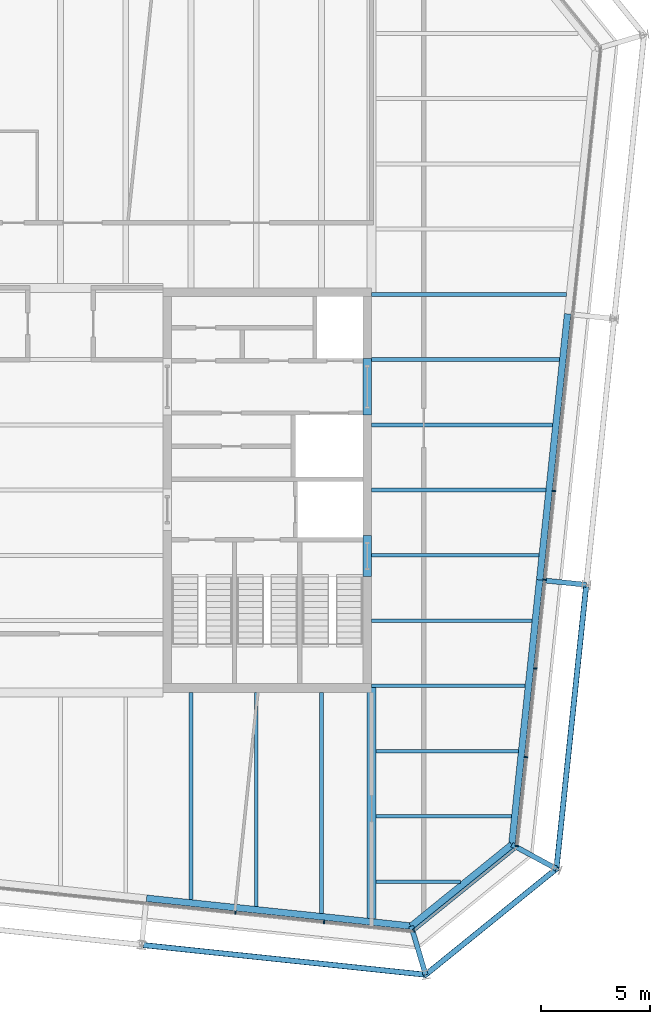
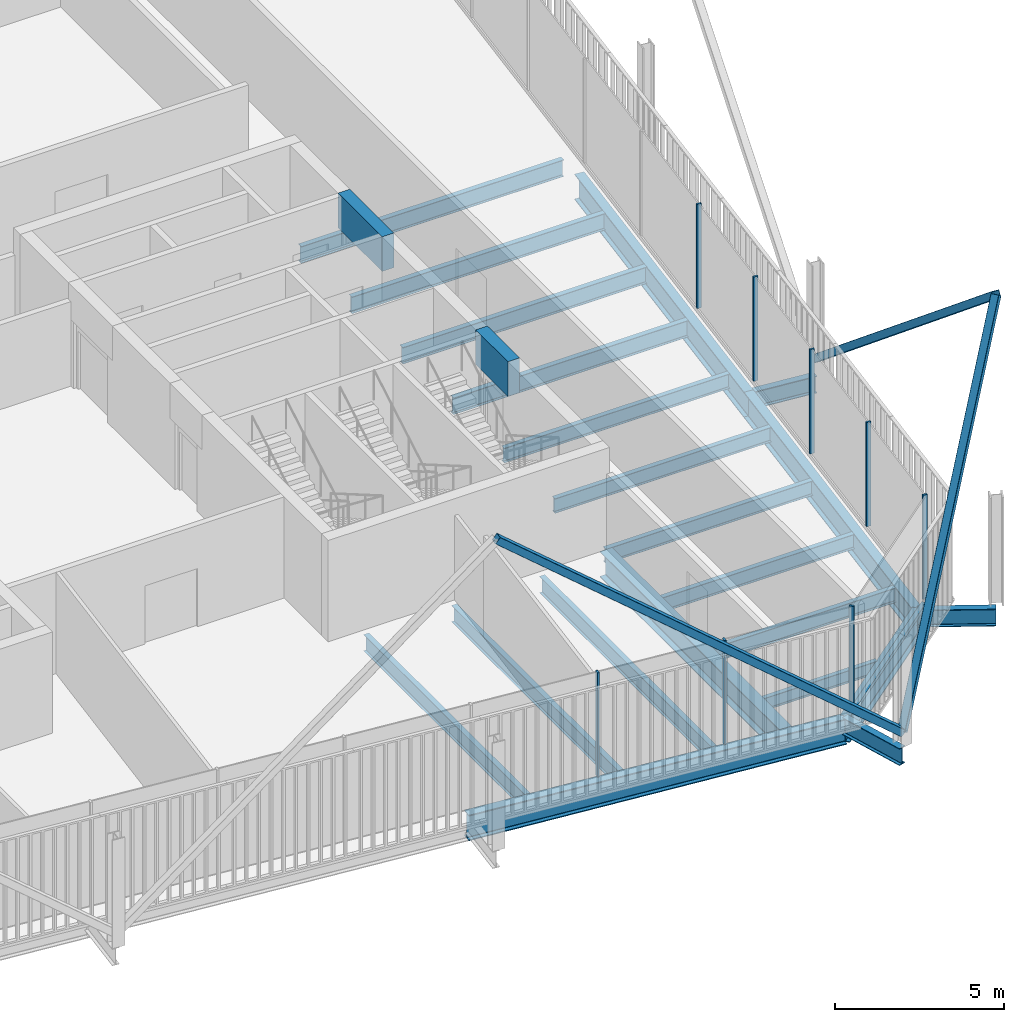
# One storey, part 9 of 21: 23 beams, 12 members, 3 elements without a shape of their own.
"""IFC4 building model written with IfcOpenShell, lengths in metres."""

from ifc_helpers import new_model, si_unit, direction, frame, origin, origin_2d, place, context, subcontext, project, spatial, rectangle, hollow_rectangle, i_section, extrude, material, layer, layer_set, material_profile, profile_set, type_object, element, aggregate, save


model = new_model("IFC4")

# Units and contexts
model_context = context("Model", 3, precision=1e-05, world=origin(), true_north=direction((0.0, 1.0)))
body_context = subcontext(model_context, "Body", "Model", "MODEL_VIEW")
ifc_project = project(units=[si_unit("LENGTHUNIT", "METRE"), si_unit("AREAUNIT", "SQUARE_METRE"), si_unit("VOLUMEUNIT", "CUBIC_METRE"), si_unit("PLANEANGLEUNIT", "RADIAN"), si_unit("MASSUNIT", "GRAM", prefix="KILO")], contexts=[model_context])

# Site, building, storey
site_placement = place(None, origin())
site = spatial("IfcSite", under=ifc_project, at=site_placement, CompositionType="ELEMENT")
building_placement = place(site_placement, origin())
building = spatial("IfcBuilding", under=site, at=building_placement, Name="Millrace Tower", CompositionType="ELEMENT")
storey_placement = place(building_placement, frame((0.0, 0.0, 307.199951171875)))
storey = spatial("IfcBuildingStorey", under=building, at=storey_placement, Name="L71", CompositionType="ELEMENT", Elevation=307.199951171875)

# Curtain wall, members
ifc_material_1 = material(Name="Aluminium and glass", Category="aluminium")
ifc_layer = layer(ifc_material_1, 0.14990234375)
ifc_layer_set = layer_set([ifc_layer], Name="Aluminium and glass")
curtain_wall_type = type_object("IfcCurtainWallType", Name="CW-1 office vision curtain wall", PredefinedType="NOTDEFINED", material=ifc_layer_set)
placement = place(storey_placement, origin())
curtain_wall_1 = element("IfcCurtainWall", 1, at=placement, inside=storey, type_object=curtain_wall_type, Name="Curtain wall E-F02 L71", PredefinedType="NOTDEFINED")
ifc_material_2 = material(Name="Aluminium", Category="aluminium")
ifc_material_profile_1 = material_profile(ifc_material_2, rectangle(XDim=0.06494140625, YDim=0.14990234375, at=origin_2d()))
ifc_profile_set_1 = profile_set([ifc_material_profile_1], Name="Aluminium")
member_type_1 = type_object("IfcMemberType", Name="CW-1 office vision curtain wall mullion", PredefinedType="MULLION", material=ifc_profile_set_1)
member_1_placement = place(storey_placement, frame((8.040283203125, -19.4248046875, 0.14013671875), z_axis=(0.0, 0.0, 1.0), x_axis=(0.994521896217, -0.104528455196, 0.0)))
member_1 = element("IfcMember", 2, at=member_1_placement, type_object=member_type_1, Name="CW1 mullion E-F02.8", PredefinedType="MULLION", context=body_context, shape_type="SweptSolid", body=[
    extrude(rectangle(XDim=0.06494140625, YDim=0.14990234375, at=origin_2d()), origin(), (0.0, 0.0, 1.0), 3.760009765625),
])
member_2_placement = place(storey_placement, frame((12.117919921875, -19.853271484375, 0.14013671875), z_axis=(0.0, 0.0, 1.0), x_axis=(0.994521896217, -0.104528455196, 0.0)))
member_2 = element("IfcMember", 3, at=member_2_placement, type_object=member_type_1, Name="CW1 mullion E-F02.9", PredefinedType="MULLION", context=body_context, shape_type="SweptSolid", body=[
    extrude(rectangle(XDim=0.06494140625, YDim=0.14990234375, at=origin_2d()), origin(), (0.0, 0.0, 1.0), 3.760009765625),
])
aggregate(curtain_wall_1, [member_1, member_2])

# Curtain wall, member
curtain_wall_2 = element("IfcCurtainWall", 4, at=placement, inside=storey, type_object=curtain_wall_type, Name="Curtain wall E-F03 L71", PredefinedType="NOTDEFINED")
member_3_placement = place(storey_placement, frame((16.243408203125, -20.24169921875, 0.14013671875), z_axis=(0.0, 0.0, 1.0), x_axis=(0.777146052237, 0.629320278945, 0.0)))
member_3 = element("IfcMember", 5, at=member_3_placement, type_object=member_type_1, Name="CW1 mullion E-F03.1", PredefinedType="MULLION", context=body_context, shape_type="SweptSolid", body=[
    extrude(rectangle(XDim=0.06494140625, YDim=0.14990234375, at=origin_2d()), origin(), (0.0, 0.0, 1.0), 3.760009765625),
])

# Curtain wall, members
curtain_wall_3 = element("IfcCurtainWall", 6, at=placement, inside=storey, type_object=curtain_wall_type, Name="Curtain wall E-F04 L71", PredefinedType="NOTDEFINED")
member_4_placement = place(storey_placement, frame((20.974853515625, -16.3525390625, 0.14013671875), z_axis=(0.0, 0.0, 1.0), x_axis=(0.104528455196, 0.994521896217, 0.0)))
member_4 = element("IfcMember", 7, at=member_4_placement, type_object=member_type_1, Name="CW1 mullion E-F04.1", PredefinedType="MULLION", context=body_context, shape_type="SweptSolid", body=[
    extrude(rectangle(XDim=0.06494140625, YDim=0.14990234375, at=origin_2d()), origin(), (0.0, 0.0, 1.0), 3.760009765625),
])
member_5_placement = place(storey_placement, frame((21.4033203125, -12.27490234375, 0.14013671875), z_axis=(0.0, 0.0, 1.0), x_axis=(0.104528455196, 0.994521896217, 0.0)))
member_5 = element("IfcMember", 8, at=member_5_placement, type_object=member_type_1, Name="CW1 mullion E-F04.2", PredefinedType="MULLION", context=body_context, shape_type="SweptSolid", body=[
    extrude(rectangle(XDim=0.06494140625, YDim=0.14990234375, at=origin_2d()), origin(), (0.0, 0.0, 1.0), 3.760009765625),
])
member_6_placement = place(storey_placement, frame((21.83203125, -8.197509765625, 0.14013671875), z_axis=(0.0, 0.0, 1.0), x_axis=(0.104528455196, 0.994521896217, 0.0)))
member_6 = element("IfcMember", 9, at=member_6_placement, type_object=member_type_1, Name="CW1 mullion E-F04.3", PredefinedType="MULLION", context=body_context, shape_type="SweptSolid", body=[
    extrude(rectangle(XDim=0.06494140625, YDim=0.14990234375, at=origin_2d()), origin(), (0.0, 0.0, 1.0), 3.760009765625),
])
member_7_placement = place(storey_placement, frame((22.260498046875, -4.119873046875, 0.14013671875), z_axis=(0.0, 0.0, 1.0), x_axis=(0.104528455196, 0.994521896217, 0.0)))
member_7 = element("IfcMember", 10, at=member_7_placement, type_object=member_type_1, Name="CW1 mullion E-F04.4", PredefinedType="MULLION", context=body_context, shape_type="SweptSolid", body=[
    extrude(rectangle(XDim=0.06494140625, YDim=0.14990234375, at=origin_2d()), origin(), (0.0, 0.0, 1.0), 3.760009765625),
])
member_8_placement = place(storey_placement, frame((22.68896484375, -0.042236328125, 0.14013671875), z_axis=(0.0, 0.0, 1.0), x_axis=(0.104528455196, 0.994521896217, 0.0)))
member_8 = element("IfcMember", 11, at=member_8_placement, type_object=member_type_1, Name="CW1 mullion E-F04.5", PredefinedType="MULLION", context=body_context, shape_type="SweptSolid", body=[
    extrude(rectangle(XDim=0.06494140625, YDim=0.14990234375, at=origin_2d()), origin(), (0.0, 0.0, 1.0), 3.760009765625),
])
aggregate(curtain_wall_3, [member_4, member_5, member_6, member_7, member_8])

# Member
ifc_material_3 = material(Name="Aluminium", Category="aluminium")
ifc_material_profile_2 = material_profile(ifc_material_3, rectangle(XDim=0.14990234375, YDim=0.139892578125, at=origin_2d()))
ifc_profile_set_2 = profile_set([ifc_material_profile_2], Name="Aluminium")
member_type_2 = type_object("IfcMemberType", Name="CW-1 office vision curtain wall transom", PredefinedType="USERDEFINED", material=ifc_profile_set_2)
member_9_placement = place(storey_placement, frame((16.2958984375, -20.19921875, 0.070068359375), z_axis=(0.77714915117, 0.629316452061, 0.0), x_axis=(-0.629316452061, 0.77714915117, 0.0)))
member_9 = element("IfcMember", 12, at=member_9_placement, type_object=member_type_2, Name="CW1 transom E-F03.1", ObjectType="TRANSOM", PredefinedType="USERDEFINED", context=body_context, shape_type="SweptSolid", body=[
    extrude(rectangle(XDim=0.14990234375, YDim=0.139892578125, at=origin_2d()), origin(), (0.0, 0.0, 1.0), 5.880859375),
])

aggregate(curtain_wall_2, [member_3, member_9])

# Beams
ifc_material_4 = material(Name="Concrete C60", Category="concrete")
ifc_material_profile_3 = material_profile(ifc_material_4, rectangle(XDim=0.39990234375, YDim=1.25, at=origin_2d()))
ifc_profile_set_3 = profile_set([ifc_material_profile_3], Name="Concrete C60")
beam_type_1 = type_object("IfcBeamType", Name="Coupling beam 400 x 1250 Concrete C60, 1300 opening", PredefinedType="BEAM", material=ifc_profile_set_3)
beam_1_placement = place(storey_placement, frame((14.10009765625, -2.080078125, 3.025146484375), z_axis=(0.0, -1.0, 0.0), x_axis=(1.0, 0.0, 0.0)))
element("IfcBeam", 13, at=beam_1_placement, inside=storey, type_object=beam_type_1, Name="Coupling beam E L71", PredefinedType="BEAM", context=body_context, shape_type="SweptSolid", body=[
    extrude(rectangle(XDim=0.39990234375, YDim=1.25, at=origin_2d()), origin(), (0.0, 0.0, 1.0), 1.89990234375),
])
ifc_material_5 = material(Name="Concrete C60", Category="concrete")
ifc_material_profile_4 = material_profile(ifc_material_5, rectangle(XDim=0.39990234375, YDim=1.25, at=origin_2d()))
ifc_profile_set_4 = profile_set([ifc_material_profile_4], Name="Concrete C60")
beam_type_2 = type_object("IfcBeamType", Name="Coupling beam 400 x 1250 Concrete C60, 2000 opening", PredefinedType="BEAM", material=ifc_profile_set_4)
beam_2_placement = place(storey_placement, frame((14.10009765625, 6.050048828125, 3.025146484375), z_axis=(0.0, -1.0, 0.0), x_axis=(1.0, 0.0, 0.0)))
element("IfcBeam", 14, at=beam_2_placement, inside=storey, type_object=beam_type_2, Name="Coupling beam E L71", PredefinedType="BEAM", context=body_context, shape_type="SweptSolid", body=[
    extrude(rectangle(XDim=0.39990234375, YDim=1.25, at=origin_2d()), origin(), (0.0, 0.0, 1.0), 2.60009765625),
])

# Members
ifc_material_6 = material(Name="Steel ASTM A500 Grade C", Category="steel")
ifc_material_profile_5 = material_profile(ifc_material_6, hollow_rectangle(XDim=0.25390625, YDim=0.25390625, WallThickness=0.009521484375, InnerFilletRadius=0.004638671875, OuterFilletRadius=0.014404296875, at=origin_2d()))
ifc_profile_set_5 = profile_set([ifc_material_profile_5], Name="Steel ASTM A500 Grade C")
member_type_3 = type_object("IfcMemberType", Name="Exoskeleton brace HSS10x10x3/8", PredefinedType="BRACE", material=ifc_profile_set_5)
member_10_placement = place(storey_placement, frame((16.78564453125, -22.279541015625, 0.400146484375), z_axis=(-0.770907361192, 0.081027511308, 0.631772413825), x_axis=(-0.104530865473, -0.994521642883, 0.0)))
element("IfcMember", 15, at=member_10_placement, inside=storey, type_object=member_type_3, Name="BRC-E-L71-04", PredefinedType="BRACE", context=body_context, shape_type="SweptSolid", body=[
    extrude(hollow_rectangle(XDim=0.25390625, YDim=0.25390625, WallThickness=0.009521484375, InnerFilletRadius=0.004638671875, OuterFilletRadius=0.014404296875, at=origin_2d()), origin(), (0.0, 0.0, 1.0), 16.936279296875),
])
member_11_placement = place(storey_placement, frame((16.78564453125, -22.279541015625, 0.400146484375), z_axis=(0.455415927187, 0.368777447372, 0.810308291686), x_axis=(-0.629308952043, 0.777155224442, 0.0)))
element("IfcMember", 16, at=member_11_placement, inside=storey, type_object=member_type_3, Name="BRC-E-L71-05", PredefinedType="BRACE", context=body_context, shape_type="SweptSolid", body=[
    extrude(hollow_rectangle(XDim=0.25390625, YDim=0.25390625, WallThickness=0.009521484375, InnerFilletRadius=0.004638671875, OuterFilletRadius=0.014404296875, at=origin_2d()), origin(), (0.0, 0.0, 1.0), 13.204833984375),
])
member_12_placement = place(storey_placement, frame((24.171630859375, -4.353271484375, 0.400146484375), z_axis=(-0.081026610877, -0.770913209344, 0.631765393155), x_axis=(0.994521846076, -0.104528932251, 0.0)))
element("IfcMember", 17, at=member_12_placement, inside=storey, type_object=member_type_3, Name="BRC-E-L71-06", PredefinedType="BRACE", context=body_context, shape_type="SweptSolid", body=[
    extrude(hollow_rectangle(XDim=0.25390625, YDim=0.25390625, WallThickness=0.009521484375, InnerFilletRadius=0.004638671875, OuterFilletRadius=0.014404296875, at=origin_2d()), origin(), (0.0, 0.0, 1.0), 16.9365234375),
])

# Beams
ifc_material_7 = material(Name="Steel ASTM A992 Grade 50", Category="steel")
ifc_material_profile_6 = material_profile(ifc_material_7, i_section(OverallWidth=0.15234375, OverallDepth=0.449462890625, WebThickness=0.007568359375, FlangeThickness=0.0107421875, FilletRadius=0.01025390625, at=origin_2d()))
ifc_profile_set_6 = profile_set([ifc_material_profile_6], Name="Steel ASTM A992 Grade 50")
beam_type_3 = type_object("IfcBeamType", Name="Floor beam W18x35", PredefinedType="JOIST", material=ifc_profile_set_6)
beam_3_placement = place(storey_placement, frame((14.509521484375, -18.0, -0.384765625), z_axis=(1.0, 0.0, 0.0), x_axis=(0.0, 1.0, 0.0)))
element("IfcBeam", 18, at=beam_3_placement, inside=storey, type_object=beam_type_3, Name="BM-E-L71-S1-S001", PredefinedType="JOIST", context=body_context, shape_type="SweptSolid", body=[
    extrude(i_section(OverallWidth=0.15234375, OverallDepth=0.449462890625, WebThickness=0.007568359375, FlangeThickness=0.0107421875, FilletRadius=0.01025390625, at=origin_2d()), origin(), (0.0, 0.0, 1.0), 3.87060546875),
])
ifc_material_8 = material(Name="Steel ASTM A992 Grade 50", Category="steel")
ifc_material_profile_7 = material_profile(ifc_material_8, i_section(OverallWidth=0.1650390625, OverallDepth=0.52587890625, WebThickness=0.0087890625, FlangeThickness=0.011474609375, FilletRadius=0.0126953125, at=origin_2d()))
ifc_profile_set_7 = profile_set([ifc_material_profile_7], Name="Steel ASTM A992 Grade 50")
beam_type_4 = type_object("IfcBeamType", Name="Floor beam W21x44", PredefinedType="JOIST", material=ifc_profile_set_7)
beam_4_placement = place(storey_placement, frame((14.509521484375, -15.0, -0.4228515625), z_axis=(1.0, 0.0, 0.0), x_axis=(0.0, 1.0, 0.0)))
element("IfcBeam", 19, at=beam_4_placement, inside=storey, type_object=beam_type_4, Name="BM-E-L71-S1-S003", PredefinedType="JOIST", context=body_context, shape_type="SweptSolid", body=[
    extrude(i_section(OverallWidth=0.1650390625, OverallDepth=0.52587890625, WebThickness=0.0087890625, FlangeThickness=0.011474609375, FilletRadius=0.0126953125, at=origin_2d()), origin(), (0.0, 0.0, 1.0), 6.222900390625),
])
beam_5_placement = place(storey_placement, frame((14.509521484375, -12.0, -0.4228515625), z_axis=(1.0, 0.0, 0.0), x_axis=(0.0, 1.0, 0.0)))
element("IfcBeam", 20, at=beam_5_placement, inside=storey, type_object=beam_type_4, Name="BM-E-L71-S1-S005", PredefinedType="JOIST", context=body_context, shape_type="SweptSolid", body=[
    extrude(i_section(OverallWidth=0.1650390625, OverallDepth=0.52587890625, WebThickness=0.0087890625, FlangeThickness=0.011474609375, FilletRadius=0.0126953125, at=origin_2d()), origin(), (0.0, 0.0, 1.0), 6.538330078125),
])
beam_6_placement = place(storey_placement, frame((14.300048828125, -9.0, -0.4228515625), z_axis=(1.0, 0.0, 0.0), x_axis=(0.0, 1.0, 0.0)))
element("IfcBeam", 21, at=beam_6_placement, inside=storey, type_object=beam_type_4, Name="BM-E-L71-S1-S007", PredefinedType="JOIST", context=body_context, shape_type="SweptSolid", body=[
    extrude(i_section(OverallWidth=0.1650390625, OverallDepth=0.52587890625, WebThickness=0.0087890625, FlangeThickness=0.011474609375, FilletRadius=0.0126953125, at=origin_2d()), origin(), (0.0, 0.0, 1.0), 7.06298828125),
])
beam_7_placement = place(storey_placement, frame((14.300048828125, -6.0, -0.4228515625), z_axis=(1.0, 0.0, 0.0), x_axis=(0.0, 1.0, 0.0)))
element("IfcBeam", 22, at=beam_7_placement, inside=storey, type_object=beam_type_4, Name="BM-E-L71-S1-S010", PredefinedType="JOIST", context=body_context, shape_type="SweptSolid", body=[
    extrude(i_section(OverallWidth=0.1650390625, OverallDepth=0.52587890625, WebThickness=0.0087890625, FlangeThickness=0.011474609375, FilletRadius=0.0126953125, at=origin_2d()), origin(), (0.0, 0.0, 1.0), 7.37841796875),
])
beam_8_placement = place(storey_placement, frame((14.300048828125, -3.0, -0.4228515625), z_axis=(1.0, 0.0, 0.0), x_axis=(0.0, 1.0, 0.0)))
element("IfcBeam", 23, at=beam_8_placement, inside=storey, type_object=beam_type_4, Name="BM-E-L71-S1-S013", PredefinedType="JOIST", context=body_context, shape_type="SweptSolid", body=[
    extrude(i_section(OverallWidth=0.1650390625, OverallDepth=0.52587890625, WebThickness=0.0087890625, FlangeThickness=0.011474609375, FilletRadius=0.0126953125, at=origin_2d()), origin(), (0.0, 0.0, 1.0), 7.693603515625),
])
ifc_material_9 = material(Name="Steel ASTM A992 Grade 50", Category="steel")
ifc_material_profile_8 = material_profile(ifc_material_9, i_section(OverallWidth=0.177978515625, OverallDepth=0.599365234375, WebThickness=0.010009765625, FlangeThickness=0.012939453125, FilletRadius=0.012939453125, at=origin_2d()))
ifc_profile_set_8 = profile_set([ifc_material_profile_8], Name="Steel ASTM A992 Grade 50")
beam_type_5 = type_object("IfcBeamType", Name="Floor beam W24x55", PredefinedType="JOIST", material=ifc_profile_set_8)
beam_9_placement = place(storey_placement, frame((14.300048828125, 0.0, -0.459716796875), z_axis=(1.0, 0.0, 0.0), x_axis=(0.0, 1.0, 0.0)))
element("IfcBeam", 24, at=beam_9_placement, inside=storey, type_object=beam_type_5, Name="BM-E-L71-S1-S016", PredefinedType="JOIST", context=body_context, shape_type="SweptSolid", body=[
    extrude(i_section(OverallWidth=0.177978515625, OverallDepth=0.599365234375, WebThickness=0.010009765625, FlangeThickness=0.012939453125, FilletRadius=0.012939453125, at=origin_2d()), origin(), (0.0, 0.0, 1.0), 8.009033203125),
])
beam_10_placement = place(storey_placement, frame((14.300048828125, 3.0, -0.459716796875), z_axis=(1.0, 0.0, 0.0), x_axis=(0.0, 1.0, 0.0)))
element("IfcBeam", 25, at=beam_10_placement, inside=storey, type_object=beam_type_5, Name="BM-E-L71-S1-S019", PredefinedType="JOIST", context=body_context, shape_type="SweptSolid", body=[
    extrude(i_section(OverallWidth=0.177978515625, OverallDepth=0.599365234375, WebThickness=0.010009765625, FlangeThickness=0.012939453125, FilletRadius=0.012939453125, at=origin_2d()), origin(), (0.0, 0.0, 1.0), 8.324462890625),
])
beam_11_placement = place(storey_placement, frame((14.300048828125, 6.0, -0.459716796875), z_axis=(1.0, 0.0, 0.0), x_axis=(0.0, 1.0, 0.0)))
element("IfcBeam", 26, at=beam_11_placement, inside=storey, type_object=beam_type_5, Name="BM-E-L71-S1-S022", PredefinedType="JOIST", context=body_context, shape_type="SweptSolid", body=[
    extrude(i_section(OverallWidth=0.177978515625, OverallDepth=0.599365234375, WebThickness=0.010009765625, FlangeThickness=0.012939453125, FilletRadius=0.012939453125, at=origin_2d()), origin(), (0.0, 0.0, 1.0), 8.6396484375),
])
beam_12_placement = place(storey_placement, frame((14.300048828125, 9.0, -0.459716796875), z_axis=(1.0, 0.0, 0.0), x_axis=(0.0, 1.0, 0.0)))
element("IfcBeam", 27, at=beam_12_placement, inside=storey, type_object=beam_type_5, Name="BM-E-L71-S1-S024", PredefinedType="JOIST", context=body_context, shape_type="SweptSolid", body=[
    extrude(i_section(OverallWidth=0.177978515625, OverallDepth=0.599365234375, WebThickness=0.010009765625, FlangeThickness=0.012939453125, FilletRadius=0.012939453125, at=origin_2d()), origin(), (0.0, 0.0, 1.0), 8.955078125),
])
beam_13_placement = place(storey_placement, frame((6.0, -18.825927734375, -0.459716796875), z_axis=(0.0, 1.0, 0.0), x_axis=(-1.0, 0.0, 0.0)))
element("IfcBeam", 28, at=beam_13_placement, inside=storey, type_object=beam_type_5, Name="BM-E-L71-S1-S049", PredefinedType="JOIST", context=body_context, shape_type="SweptSolid", body=[
    extrude(i_section(OverallWidth=0.177978515625, OverallDepth=0.599365234375, WebThickness=0.010009765625, FlangeThickness=0.012939453125, FilletRadius=0.012939453125, at=origin_2d()), origin(), (0.0, 0.0, 1.0), 9.52587890625),
])
beam_14_placement = place(storey_placement, frame((9.0, -19.14111328125, -0.459716796875), z_axis=(0.0, 1.0, 0.0), x_axis=(-1.0, 0.0, 0.0)))
element("IfcBeam", 29, at=beam_14_placement, inside=storey, type_object=beam_type_5, Name="BM-E-L71-S1-S051", PredefinedType="JOIST", context=body_context, shape_type="SweptSolid", body=[
    extrude(i_section(OverallWidth=0.177978515625, OverallDepth=0.599365234375, WebThickness=0.010009765625, FlangeThickness=0.012939453125, FilletRadius=0.012939453125, at=origin_2d()), origin(), (0.0, 0.0, 1.0), 9.841064453125),
])
ifc_material_10 = material(Name="Steel ASTM A992 Grade 50", Category="steel")
ifc_material_profile_9 = material_profile(ifc_material_10, i_section(OverallWidth=0.1787109375, OverallDepth=0.60205078125, WebThickness=0.010986328125, FlangeThickness=0.014892578125, FilletRadius=0.0126953125, at=origin_2d()))
ifc_profile_set_9 = profile_set([ifc_material_profile_9], Name="Steel ASTM A992 Grade 50")
beam_type_6 = type_object("IfcBeamType", Name="Floor beam W24x62", PredefinedType="JOIST", material=ifc_profile_set_9)
beam_15_placement = place(storey_placement, frame((12.0, -19.45654296875, -0.4609375), z_axis=(0.0, 1.0, 0.0), x_axis=(-1.0, 0.0, 0.0)))
element("IfcBeam", 30, at=beam_15_placement, inside=storey, type_object=beam_type_6, Name="BM-E-L71-S1-S053", PredefinedType="JOIST", context=body_context, shape_type="SweptSolid", body=[
    extrude(i_section(OverallWidth=0.1787109375, OverallDepth=0.60205078125, WebThickness=0.010986328125, FlangeThickness=0.014892578125, FilletRadius=0.0126953125, at=origin_2d()), origin(), (0.0, 0.0, 1.0), 10.156494140625),
])
ifc_material_11 = material(Name="Steel ASTM A992 Grade 50", Category="steel")
ifc_material_profile_10 = material_profile(ifc_material_11, i_section(OverallWidth=0.419189453125, OverallDepth=0.927001953125, WebThickness=0.019287109375, FlangeThickness=0.031982421875, FilletRadius=0.024169921875, at=origin_2d()))
ifc_profile_set_10 = profile_set([ifc_material_profile_10], Name="Steel ASTM A992 Grade 50")
beam_type_7 = type_object("IfcBeamType", Name="Girder short span W36x231", PredefinedType="BEAM", material=ifc_profile_set_10)
beam_16_placement = place(storey_placement, frame((14.300048828125, -19.6982421875, -0.62353515625), z_axis=(0.0, 1.0, 0.0), x_axis=(-1.0, 0.0, 0.0)))
element("IfcBeam", 31, at=beam_16_placement, inside=storey, type_object=beam_type_7, Name="BM-E-L71-S1-G057", PredefinedType="BEAM", context=body_context, shape_type="SweptSolid", body=[
    extrude(i_section(OverallWidth=0.419189453125, OverallDepth=0.927001953125, WebThickness=0.019287109375, FlangeThickness=0.031982421875, FilletRadius=0.024169921875, at=origin_2d()), origin(), (0.0, 0.0, 1.0), 10.6142578125),
])
ifc_material_12 = material(Name="Steel ASTM A992 Grade 50", Category="steel")
ifc_material_profile_11 = material_profile(ifc_material_12, i_section(OverallWidth=0.23046875, OverallDepth=0.6171875, WebThickness=0.01318359375, FlangeThickness=0.022216796875, FilletRadius=0.012939453125, at=origin_2d()))
ifc_profile_set_11 = profile_set([ifc_material_profile_11], Name="Steel ASTM A992 Grade 50")
beam_type_8 = type_object("IfcBeamType", Name="Link beam W24x94", PredefinedType="BEAM", material=ifc_profile_set_11)
beam_17_placement = place(storey_placement, frame((22.1826171875, -4.144287109375, -0.468505859375), z_axis=(0.99452550138, -0.104494148666, 0.0), x_axis=(0.104494148666, 0.99452550138, 0.0)))
element("IfcBeam", 32, at=beam_17_placement, inside=storey, type_object=beam_type_8, Name="LNK-E-L71-S1-11", PredefinedType="BEAM", context=body_context, shape_type="SweptSolid", body=[
    extrude(i_section(OverallWidth=0.23046875, OverallDepth=0.6171875, WebThickness=0.01318359375, FlangeThickness=0.022216796875, FilletRadius=0.012939453125, at=origin_2d()), origin(), (0.0, 0.0, 1.0), 2.0),
])
for number, where, z_axis, x_axis, name in (
    (33, (20.750732421875, -16.297607421875, -0.468505859375), (0.87881453358, -0.477163510307, 0.0), (0.477163510307, 0.87881453358, 0.0), "LNK-E-L71-S1-12"),
    (34, (16.123779296875, -20.04443359375, -0.468505859375), (0.283934988541, -0.958843533785, 0.0), (0.958843533785, 0.283934988541, 0.0), "LNK-E-L71-S1-13"),
):
    element("IfcBeam", number, at=place(storey_placement, frame(where, z_axis=z_axis, x_axis=x_axis)), inside=storey, type_object=beam_type_8, Name=name, PredefinedType="BEAM", context=body_context, shape_type="SweptSolid", body=[
        extrude(i_section(OverallWidth=0.23046875, OverallDepth=0.6171875, WebThickness=0.01318359375, FlangeThickness=0.022216796875, FilletRadius=0.012939453125, at=origin_2d()), origin(), (0.0, 0.0, 1.0), 2.3310546875),
    ])
ifc_material_13 = material(Name="Steel ASTM A992 Grade 50", Category="steel")
ifc_material_profile_12 = material_profile(ifc_material_13, i_section(OverallWidth=0.307373046875, OverallDepth=0.927001953125, WebThickness=0.01953125, FlangeThickness=0.031982421875, FilletRadius=0.01904296875, at=origin_2d()))
ifc_profile_set_12 = profile_set([ifc_material_profile_12], Name="Steel ASTM A992 Grade 50")
beam_type_9 = type_object("IfcBeamType", Name="Ring beam medium span W36x194", PredefinedType="SPANDREL", material=ifc_profile_set_12)
beam_18_placement = place(storey_placement, frame((23.3154296875, 8.104248046875, -0.62353515625), z_axis=(-0.10452566363, -0.994522189618, 0.0), x_axis=(0.994522189618, -0.10452566363, 0.0)))
element("IfcBeam", 35, at=beam_18_placement, inside=storey, type_object=beam_type_9, Name="RNG-E-L71-S1-10", PredefinedType="SPANDREL", context=body_context, shape_type="SweptSolid", body=[
    extrude(i_section(OverallWidth=0.307373046875, OverallDepth=0.927001953125, WebThickness=0.01953125, FlangeThickness=0.031982421875, FilletRadius=0.01904296875, at=origin_2d()), origin(), (0.0, 0.0, 1.0), 12.2998046875),
])
for number, where, z_axis, x_axis, name in (
    (36, (22.02978515625, -4.128173828125, -0.62353515625), (-0.104527955888, -0.994521948696, 0.0), (0.994521948696, -0.104527955888, 0.0), "RNG-E-L71-S1-11"),
    (37, (16.123779296875, -20.04443359375, -0.62353515625), (-0.994521948696, 0.104527955888, 0.0), (-0.104527955888, -0.994521948696, 0.0), "RNG-E-L71-S1-13"),
):
    element("IfcBeam", number, at=place(storey_placement, frame(where, z_axis=z_axis, x_axis=x_axis)), inside=storey, type_object=beam_type_9, Name=name, PredefinedType="SPANDREL", context=body_context, shape_type="SweptSolid", body=[
        extrude(i_section(OverallWidth=0.307373046875, OverallDepth=0.927001953125, WebThickness=0.01953125, FlangeThickness=0.031982421875, FilletRadius=0.01904296875, at=origin_2d()), origin(), (0.0, 0.0, 1.0), 12.236572265625),
    ])
ifc_material_14 = material(Name="Steel ASTM A992 Grade 50", Category="steel")
ifc_material_profile_13 = material_profile(ifc_material_14, i_section(OverallWidth=0.307373046875, OverallDepth=0.927001953125, WebThickness=0.01953125, FlangeThickness=0.031982421875, FilletRadius=0.01904296875, at=origin_2d()))
ifc_profile_set_13 = profile_set([ifc_material_profile_13], Name="Steel ASTM A992 Grade 50")
beam_type_10 = type_object("IfcBeamType", Name="Ring beam short span W36x194", PredefinedType="SPANDREL", material=ifc_profile_set_13)
beam_19_placement = place(storey_placement, frame((20.750732421875, -16.297607421875, -0.62353515625), z_axis=(-0.777146502883, -0.629319722443, 0.0), x_axis=(0.629319722443, -0.777146502883, 0.0)))
element("IfcBeam", 38, at=beam_19_placement, inside=storey, type_object=beam_type_10, Name="RNG-E-L71-S1-12", PredefinedType="SPANDREL", context=body_context, shape_type="SweptSolid", body=[
    extrude(i_section(OverallWidth=0.307373046875, OverallDepth=0.927001953125, WebThickness=0.01953125, FlangeThickness=0.031982421875, FilletRadius=0.01904296875, at=origin_2d()), origin(), (0.0, 0.0, 1.0), 5.953857421875),
])

save(model, "model.ifc")
